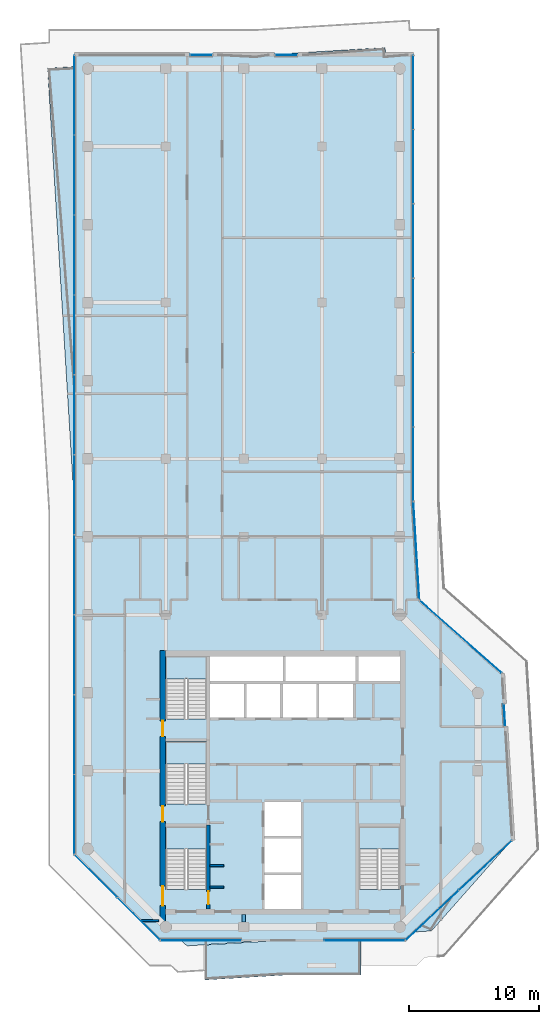
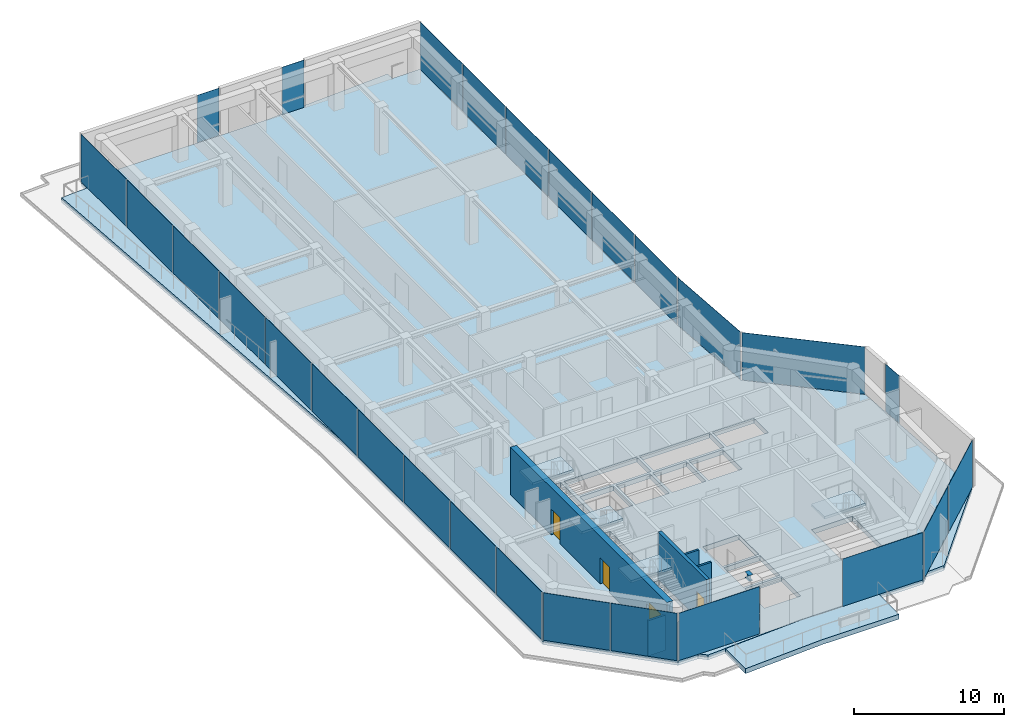
# One storey, part 16 of 21: 27 plates, 6 slabs, 5 walls, 4 doors, 1 beam, 4 openings, 15 elements without a shape of their own.
"""IFC4 building model written with IfcOpenShell, lengths in metres."""

from ifc_helpers import new_model, si_unit, direction, frame, frame_2d, origin, origin_2d, place, context, subcontext, project, spatial, polyline, rectangle, i_section, outline, extrude, material, layer, layer_set, material_profile, profile_set, type_object, element, fill, aggregate, save


model = new_model("IFC4")

# Units and contexts
model_context = context("Model", 3, precision=1e-05, world=origin(), true_north=direction((0.0, 1.0)))
body_context = subcontext(model_context, "Body", "Model", "MODEL_VIEW")
ifc_project = project(units=[si_unit("LENGTHUNIT", "METRE"), si_unit("AREAUNIT", "SQUARE_METRE"), si_unit("VOLUMEUNIT", "CUBIC_METRE"), si_unit("PLANEANGLEUNIT", "RADIAN"), si_unit("MASSUNIT", "GRAM", prefix="KILO")], contexts=[model_context])

# Site, building, storey
site_placement = place(None, origin())
site = spatial("IfcSite", under=ifc_project, at=site_placement, CompositionType="ELEMENT")
building_placement = place(site_placement, origin())
building = spatial("IfcBuilding", under=site, at=building_placement, Name="Welwitschia Terrace Campus", CompositionType="ELEMENT")
storey_placement = place(building_placement, frame((0.0, 0.0, 213.800048828125)))
storey = spatial("IfcBuildingStorey", under=building, at=storey_placement, Name="L47", CompositionType="ELEMENT", Elevation=213.800048828125)

# Beam
ifc_material_1 = material(Name="Steel S355", Category="steel")
ifc_material_profile = material_profile(ifc_material_1, i_section(OverallWidth=0.300048828125, OverallDepth=0.489990234375, WebThickness=0.011962890625, FlangeThickness=0.02294921875, FilletRadius=0.027099609375, at=origin_2d()))
ifc_profile_set = profile_set([ifc_material_profile], Name="Steel S355")
beam_type = type_object("IfcBeamType", Name="Primary beam HE 500 A", PredefinedType="BEAM", material=ifc_profile_set)
beam_placement = place(storey_placement, frame((12.0, 4.400390625, 3.60498046875), z_axis=(0.0, 1.0, 0.0), x_axis=(-1.0, 0.0, 0.0)))
element("IfcBeam", 1, at=beam_placement, inside=storey, type_object=beam_type, Name="Primary beam PB5", PredefinedType="BEAM", context=body_context, shape_type="SweptSolid", body=[
    extrude(i_section(OverallWidth=0.300048828125, OverallDepth=0.489990234375, WebThickness=0.011962890625, FlangeThickness=0.02294921875, FilletRadius=0.027099609375, at=origin_2d()), origin(), (0.0, 0.0, 1.0), 0.549560546875),
])

# Curtain wall, plates
ifc_material_2 = material(Name="Bronze anodised aluminium", Category="aluminium")
ifc_layer_1 = layer(ifc_material_2, 0.1201171875)
ifc_layer_set_1 = layer_set([ifc_layer_1], Name="Bronze anodised aluminium")
curtain_wall_type = type_object("IfcCurtainWallType", Name="Curtain wall CW2 tower 6000", PredefinedType="NOTDEFINED", material=ifc_layer_set_1)
curtain_wall_1_placement = place(storey_placement, origin())
curtain_wall_1 = element("IfcCurtainWall", 2, at=curtain_wall_1_placement, inside=storey, type_object=curtain_wall_type, Name="CW L47.0.0", PredefinedType="NOTDEFINED")
ifc_material_3 = material(Name="Tinted bronze-grey glass", Category="glass")
ifc_layer_2 = layer(ifc_material_3, 0.028076171875)
ifc_layer_set_2 = layer_set([ifc_layer_2], Name="Tinted bronze-grey glass")
plate_type = type_object("IfcPlateType", Name="Glass panel 28 tinted", PredefinedType="CURTAIN_PANEL", material=ifc_layer_set_2)
plate_1_placement = place(storey_placement, frame((0.63134765625, 7.911865234375, 0.0), z_axis=(0.0, 0.0, 1.0), x_axis=(0.707106781187, -0.707106781187, 0.0)))
plate_1 = element("IfcPlate", 3, at=plate_1_placement, type_object=plate_type, Name="Panel L47.0.0.0", PredefinedType="CURTAIN_PANEL", context=body_context, shape_type="SweptSolid", body=[
    extrude(rectangle(XDim=4.579345703125, YDim=0.028076171875, at=origin_2d()), origin(), (0.0, 0.0, 1.0), 3.85009765625),
])
plate_2_placement = place(storey_placement, frame((3.911865234375, 4.63134765625, 0.0), z_axis=(0.0, 0.0, 1.0), x_axis=(0.707106781187, -0.707106781187, 0.0)))
plate_2 = element("IfcPlate", 4, at=plate_2_placement, type_object=plate_type, Name="Panel L47.0.0.1", PredefinedType="CURTAIN_PANEL", context=body_context, shape_type="SweptSolid", body=[
    extrude(rectangle(XDim=4.579345703125, YDim=0.028076171875, at=origin_2d()), origin(), (0.0, 0.0, 1.0), 3.85009765625),
])
aggregate(curtain_wall_1, [plate_1, plate_2])

# Curtain wall, plate
curtain_wall_2_placement = place(storey_placement, origin())
curtain_wall_2 = element("IfcCurtainWall", 5, at=curtain_wall_2_placement, inside=storey, type_object=curtain_wall_type, Name="CW L47.1.0", PredefinedType="NOTDEFINED")
plate_3_placement = place(storey_placement, frame((8.715576171875, 2.969970703125, 0.0), z_axis=(0.0, 0.0, 1.0), x_axis=(1.0, 0.0, 0.0)))
plate_3 = element("IfcPlate", 6, at=plate_3_placement, type_object=plate_type, Name="Panel L47.1.0.0", PredefinedType="CURTAIN_PANEL", context=body_context, shape_type="SweptSolid", body=[
    extrude(rectangle(XDim=6.164306640625, YDim=0.028076171875, at=origin_2d()), origin(), (0.0, 0.0, 1.0), 3.85009765625),
])
aggregate(curtain_wall_2, [plate_3])

curtain_wall_3_placement = place(storey_placement, origin())
curtain_wall_3 = element("IfcCurtainWall", 7, at=curtain_wall_3_placement, inside=storey, type_object=curtain_wall_type, Name="CW L47.1.2", PredefinedType="NOTDEFINED")
plate_4_placement = place(storey_placement, frame((21.284423828125, 2.969970703125, 0.0), z_axis=(0.0, 0.0, 1.0), x_axis=(1.0, 0.0, 0.0)))
plate_4 = element("IfcPlate", 8, at=plate_4_placement, type_object=plate_type, Name="Panel L47.1.2.0", PredefinedType="CURTAIN_PANEL", context=body_context, shape_type="SweptSolid", body=[
    extrude(rectangle(XDim=6.164306640625, YDim=0.028076171875, at=origin_2d()), origin(), (0.0, 0.0, 1.0), 3.85009765625),
])
aggregate(curtain_wall_3, [plate_4])

# Curtain wall, plates
curtain_wall_4_placement = place(storey_placement, origin())
curtain_wall_4 = element("IfcCurtainWall", 9, at=curtain_wall_4_placement, inside=storey, type_object=curtain_wall_type, Name="CW L47.2.0", PredefinedType="NOTDEFINED")
plate_5_placement = place(storey_placement, frame((26.48974609375, 4.90380859375, 0.0), z_axis=(0.0, 0.0, 1.0), x_axis=(0.729574100684, 0.68390177044, 0.0)))
plate_5 = element("IfcPlate", 10, at=plate_5_placement, type_object=plate_type, Name="Panel L47.2.0.0", PredefinedType="CURTAIN_PANEL", context=body_context, shape_type="SweptSolid", body=[
    extrude(rectangle(XDim=5.53564453125, YDim=0.028076171875, at=origin_2d()), origin(), (0.0, 0.0, 1.0), 3.85009765625),
])
plate_6_placement = place(storey_placement, frame((30.572021484375, 8.730712890625, 0.0), z_axis=(0.0, 0.0, 1.0), x_axis=(0.729574100684, 0.68390177044, 0.0)))
plate_6 = element("IfcPlate", 11, at=plate_6_placement, type_object=plate_type, Name="Panel L47.2.0.1", PredefinedType="CURTAIN_PANEL", context=body_context, shape_type="SweptSolid", body=[
    extrude(rectangle(XDim=5.53564453125, YDim=0.028076171875, at=origin_2d()), origin(), (0.0, 0.0, 1.0), 3.85009765625),
])
aggregate(curtain_wall_4, [plate_5, plate_6])

# Curtain wall, plate
curtain_wall_5_placement = place(storey_placement, origin())
curtain_wall_5 = element("IfcCurtainWall", 12, at=curtain_wall_5_placement, inside=storey, type_object=curtain_wall_type, Name="CW L47.3.S0", PredefinedType="NOTDEFINED")
plate_7_placement = place(storey_placement, frame((32.046630859375, 20.28662109375, 0.0), z_axis=(0.0, 0.0, 1.0), x_axis=(-0.061048539535, 0.998134798422, 0.0)))
plate_7 = element("IfcPlate", 13, at=plate_7_placement, type_object=plate_type, Name="Panel L47.3.S0.0", PredefinedType="CURTAIN_PANEL", context=body_context, shape_type="SweptSolid", body=[
    extrude(rectangle(XDim=1.679931640625, YDim=0.028076171875, at=origin_2d()), origin(), (0.0, 0.0, 1.0), 3.85009765625),
])
aggregate(curtain_wall_5, [plate_7])

curtain_wall_6_placement = place(storey_placement, origin())
curtain_wall_6 = element("IfcCurtainWall", 14, at=curtain_wall_6_placement, inside=storey, type_object=curtain_wall_type, Name="CW L47.4.0", PredefinedType="NOTDEFINED")
plate_8_placement = place(storey_placement, frame((28.6728515625, 26.30517578125, 0.0), z_axis=(0.0, 0.0, 1.0), x_axis=(-0.748955720789, 0.662620048216, 0.0)))
plate_8 = element("IfcPlate", 15, at=plate_8_placement, type_object=plate_type, Name="Panel L47.4.0.0", PredefinedType="CURTAIN_PANEL", context=body_context, shape_type="SweptSolid", body=[
    extrude(rectangle(XDim=8.365234375, YDim=0.028076171875, at=origin_2d()), origin(), (0.0, 0.0, 1.0), 3.85009765625),
])
aggregate(curtain_wall_6, [plate_8])

curtain_wall_7_placement = place(storey_placement, origin())
curtain_wall_7 = element("IfcCurtainWall", 16, at=curtain_wall_7_placement, inside=storey, type_object=curtain_wall_type, Name="CW L47.5.0", PredefinedType="NOTDEFINED")
plate_9_placement = place(storey_placement, frame((25.2626953125, 32.921142578125, 0.0), z_axis=(0.0, 0.0, 1.0), x_axis=(-0.061048539535, 0.998134798422, 0.0)))
plate_9 = element("IfcPlate", 17, at=plate_9_placement, type_object=plate_type, Name="Panel L47.5.0.0", PredefinedType="CURTAIN_PANEL", context=body_context, shape_type="SweptSolid", body=[
    extrude(rectangle(XDim=7.503662109375, YDim=0.028076171875, at=origin_2d()), origin(), (0.0, 0.0, 1.0), 3.85009765625),
])
aggregate(curtain_wall_7, [plate_9])

# Curtain wall, plates
curtain_wall_8_placement = place(storey_placement, origin())
curtain_wall_8 = element("IfcCurtainWall", 18, at=curtain_wall_8_placement, inside=storey, type_object=curtain_wall_type, Name="CW L47.6.0", PredefinedType="NOTDEFINED")
plate_10_placement = place(storey_placement, frame((25.030029296875, 39.599609375, 0.0), z_axis=(0.0, 0.0, 1.0), x_axis=(0.0, 1.0, 0.0)))
plate_10 = element("IfcPlate", 19, at=plate_10_placement, type_object=plate_type, Name="Panel L47.6.0.0", PredefinedType="CURTAIN_PANEL", context=body_context, shape_type="SweptSolid", body=[
    extrude(rectangle(XDim=5.62744140625, YDim=0.028076171875, at=origin_2d()), origin(), (0.0, 0.0, 1.0), 3.85009765625),
])
plate_11_placement = place(storey_placement, frame((25.030029296875, 45.302001953125, 0.0), z_axis=(0.0, 0.0, 1.0), x_axis=(0.0, 1.0, 0.0)))
plate_11 = element("IfcPlate", 20, at=plate_11_placement, type_object=plate_type, Name="Panel L47.6.0.1", PredefinedType="CURTAIN_PANEL", context=body_context, shape_type="SweptSolid", body=[
    extrude(rectangle(XDim=5.6572265625, YDim=0.028076171875, at=origin_2d()), origin(), (0.0, 0.0, 1.0), 3.85009765625),
])
plate_12_placement = place(storey_placement, frame((25.030029296875, 51.019287109375, 0.0), z_axis=(0.0, 0.0, 1.0), x_axis=(0.0, 1.0, 0.0)))
plate_12 = element("IfcPlate", 21, at=plate_12_placement, type_object=plate_type, Name="Panel L47.6.0.2", PredefinedType="CURTAIN_PANEL", context=body_context, shape_type="SweptSolid", body=[
    extrude(rectangle(XDim=5.6572265625, YDim=0.028076171875, at=origin_2d()), origin(), (0.0, 0.0, 1.0), 3.85009765625),
])
plate_13_placement = place(storey_placement, frame((25.030029296875, 56.736572265625, 0.0), z_axis=(0.0, 0.0, 1.0), x_axis=(0.0, 1.0, 0.0)))
plate_13 = element("IfcPlate", 22, at=plate_13_placement, type_object=plate_type, Name="Panel L47.6.0.3", PredefinedType="CURTAIN_PANEL", context=body_context, shape_type="SweptSolid", body=[
    extrude(rectangle(XDim=5.6572265625, YDim=0.028076171875, at=origin_2d()), origin(), (0.0, 0.0, 1.0), 3.85009765625),
])
plate_14_placement = place(storey_placement, frame((25.030029296875, 62.4541015625, 0.0), z_axis=(0.0, 0.0, 1.0), x_axis=(0.0, 1.0, 0.0)))
plate_14 = element("IfcPlate", 23, at=plate_14_placement, type_object=plate_type, Name="Panel L47.6.0.4", PredefinedType="CURTAIN_PANEL", context=body_context, shape_type="SweptSolid", body=[
    extrude(rectangle(XDim=5.6572265625, YDim=0.028076171875, at=origin_2d()), origin(), (0.0, 0.0, 1.0), 3.85009765625),
])
plate_15_placement = place(storey_placement, frame((25.030029296875, 68.15625, 0.0), z_axis=(0.0, 0.0, 1.0), x_axis=(0.0, 1.0, 0.0)))
plate_15 = element("IfcPlate", 24, at=plate_15_placement, type_object=plate_type, Name="Panel L47.6.0.5", PredefinedType="CURTAIN_PANEL", context=body_context, shape_type="SweptSolid", body=[
    extrude(rectangle(XDim=5.62744140625, YDim=0.028076171875, at=origin_2d()), origin(), (0.0, 0.0, 1.0), 3.85009765625),
])
aggregate(curtain_wall_8, [plate_10, plate_11, plate_12, plate_13, plate_14, plate_15])

# Curtain wall, plate
curtain_wall_9_placement = place(storey_placement, origin())
curtain_wall_9 = element("IfcCurtainWall", 25, at=curtain_wall_9_placement, inside=storey, type_object=curtain_wall_type, Name="CW L47.7.S0", PredefinedType="NOTDEFINED")
plate_16_placement = place(storey_placement, frame((15.257568359375, 71.030029296875, 0.0), z_axis=(0.0, 0.0, 1.0), x_axis=(-1.0, 0.0, 0.0)))
plate_16 = element("IfcPlate", 26, at=plate_16_placement, type_object=plate_type, Name="Panel L47.7.S0.0", PredefinedType="CURTAIN_PANEL", context=body_context, shape_type="SweptSolid", body=[
    extrude(rectangle(XDim=1.679931640625, YDim=0.028076171875, at=origin_2d()), origin(), (0.0, 0.0, 1.0), 3.85009765625),
])
aggregate(curtain_wall_9, [plate_16])

curtain_wall_10_placement = place(storey_placement, origin())
curtain_wall_10 = element("IfcCurtainWall", 27, at=curtain_wall_10_placement, inside=storey, type_object=curtain_wall_type, Name="CW L47.7.S1", PredefinedType="NOTDEFINED")
plate_17_placement = place(storey_placement, frame((8.742431640625, 71.030029296875, 0.0), z_axis=(0.0, 0.0, 1.0), x_axis=(-1.0, 0.0, 0.0)))
plate_17 = element("IfcPlate", 28, at=plate_17_placement, type_object=plate_type, Name="Panel L47.7.S1.0", PredefinedType="CURTAIN_PANEL", context=body_context, shape_type="SweptSolid", body=[
    extrude(rectangle(XDim=1.679931640625, YDim=0.028076171875, at=origin_2d()), origin(), (0.0, 0.0, 1.0), 3.85009765625),
])
aggregate(curtain_wall_10, [plate_17])

# Curtain wall, plates
curtain_wall_11_placement = place(storey_placement, origin())
curtain_wall_11 = element("IfcCurtainWall", 29, at=curtain_wall_11_placement, inside=storey, type_object=curtain_wall_type, Name="CW L47.8.0", PredefinedType="NOTDEFINED")
plate_18_placement = place(storey_placement, frame((-1.030029296875, 67.942138671875, 0.0), z_axis=(0.0, 0.0, 1.0), x_axis=(0.0, -1.0, 0.0)))
plate_18 = element("IfcPlate", 30, at=plate_18_placement, type_object=plate_type, Name="Panel L47.8.0.0", PredefinedType="CURTAIN_PANEL", context=body_context, shape_type="SweptSolid", body=[
    extrude(rectangle(XDim=6.0556640625, YDim=0.028076171875, at=origin_2d()), origin(), (0.0, 0.0, 1.0), 3.85009765625),
])
plate_19_placement = place(storey_placement, frame((-1.030029296875, 61.8115234375, 0.0), z_axis=(0.0, 0.0, 1.0), x_axis=(0.0, -1.0, 0.0)))
plate_19 = element("IfcPlate", 31, at=plate_19_placement, type_object=plate_type, Name="Panel L47.8.0.1", PredefinedType="CURTAIN_PANEL", context=body_context, shape_type="SweptSolid", body=[
    extrude(rectangle(XDim=6.085693359375, YDim=0.028076171875, at=origin_2d()), origin(), (0.0, 0.0, 1.0), 3.85009765625),
])
plate_20_placement = place(storey_placement, frame((-1.030029296875, 55.665771484375, 0.0), z_axis=(0.0, 0.0, 1.0), x_axis=(0.0, -1.0, 0.0)))
plate_20 = element("IfcPlate", 32, at=plate_20_placement, type_object=plate_type, Name="Panel L47.8.0.2", PredefinedType="CURTAIN_PANEL", context=body_context, shape_type="SweptSolid", body=[
    extrude(rectangle(XDim=6.085693359375, YDim=0.028076171875, at=origin_2d()), origin(), (0.0, 0.0, 1.0), 3.85009765625),
])
plate_21_placement = place(storey_placement, frame((-1.030029296875, 49.520263671875, 0.0), z_axis=(0.0, 0.0, 1.0), x_axis=(0.0, -1.0, 0.0)))
plate_21 = element("IfcPlate", 33, at=plate_21_placement, type_object=plate_type, Name="Panel L47.8.0.3", PredefinedType="CURTAIN_PANEL", context=body_context, shape_type="SweptSolid", body=[
    extrude(rectangle(XDim=6.085693359375, YDim=0.028076171875, at=origin_2d()), origin(), (0.0, 0.0, 1.0), 3.85009765625),
])
plate_22_placement = place(storey_placement, frame((-1.030029296875, 43.37451171875, 0.0), z_axis=(0.0, 0.0, 1.0), x_axis=(0.0, -1.0, 0.0)))
plate_22 = element("IfcPlate", 34, at=plate_22_placement, type_object=plate_type, Name="Panel L47.8.0.4", PredefinedType="CURTAIN_PANEL", context=body_context, shape_type="SweptSolid", body=[
    extrude(rectangle(XDim=6.085693359375, YDim=0.028076171875, at=origin_2d()), origin(), (0.0, 0.0, 1.0), 3.85009765625),
])
plate_23_placement = place(storey_placement, frame((-1.030029296875, 37.228759765625, 0.0), z_axis=(0.0, 0.0, 1.0), x_axis=(0.0, -1.0, 0.0)))
plate_23 = element("IfcPlate", 35, at=plate_23_placement, type_object=plate_type, Name="Panel L47.8.0.5", PredefinedType="CURTAIN_PANEL", context=body_context, shape_type="SweptSolid", body=[
    extrude(rectangle(XDim=6.085693359375, YDim=0.028076171875, at=origin_2d()), origin(), (0.0, 0.0, 1.0), 3.85009765625),
])
plate_24_placement = place(storey_placement, frame((-1.030029296875, 31.083251953125, 0.0), z_axis=(0.0, 0.0, 1.0), x_axis=(0.0, -1.0, 0.0)))
plate_24 = element("IfcPlate", 36, at=plate_24_placement, type_object=plate_type, Name="Panel L47.8.0.6", PredefinedType="CURTAIN_PANEL", context=body_context, shape_type="SweptSolid", body=[
    extrude(rectangle(XDim=6.085693359375, YDim=0.028076171875, at=origin_2d()), origin(), (0.0, 0.0, 1.0), 3.85009765625),
])
plate_25_placement = place(storey_placement, frame((-1.030029296875, 24.9375, 0.0), z_axis=(0.0, 0.0, 1.0), x_axis=(0.0, -1.0, 0.0)))
plate_25 = element("IfcPlate", 37, at=plate_25_placement, type_object=plate_type, Name="Panel L47.8.0.7", PredefinedType="CURTAIN_PANEL", context=body_context, shape_type="SweptSolid", body=[
    extrude(rectangle(XDim=6.085693359375, YDim=0.028076171875, at=origin_2d()), origin(), (0.0, 0.0, 1.0), 3.85009765625),
])
plate_26_placement = place(storey_placement, frame((-1.030029296875, 18.791748046875, 0.0), z_axis=(0.0, 0.0, 1.0), x_axis=(0.0, -1.0, 0.0)))
plate_26 = element("IfcPlate", 38, at=plate_26_placement, type_object=plate_type, Name="Panel L47.8.0.8", PredefinedType="CURTAIN_PANEL", context=body_context, shape_type="SweptSolid", body=[
    extrude(rectangle(XDim=6.085693359375, YDim=0.028076171875, at=origin_2d()), origin(), (0.0, 0.0, 1.0), 3.85009765625),
])
plate_27_placement = place(storey_placement, frame((-1.030029296875, 12.6611328125, 0.0), z_axis=(0.0, 0.0, 1.0), x_axis=(0.0, -1.0, 0.0)))
plate_27 = element("IfcPlate", 39, at=plate_27_placement, type_object=plate_type, Name="Panel L47.8.0.9", PredefinedType="CURTAIN_PANEL", context=body_context, shape_type="SweptSolid", body=[
    extrude(rectangle(XDim=6.0556640625, YDim=0.028076171875, at=origin_2d()), origin(), (0.0, 0.0, 1.0), 3.85009765625),
])
aggregate(curtain_wall_11, [plate_18, plate_19, plate_20, plate_21, plate_22, plate_23, plate_24, plate_25, plate_26, plate_27])

# Stair, slab
ifc_material_4 = material(Name="Concrete C40/50", Category="concrete")
stair_type = type_object("IfcStairType", Name="Stair 24R 175 W1500", PredefinedType="HALF_TURN_STAIR", material=ifc_material_4)
stair_1_placement = place(storey_placement, origin())
stair_1 = element("IfcStair", 40, at=stair_1_placement, inside=storey, type_object=stair_type, Name="L47 Exit stair S1", PredefinedType="HALF_TURN_STAIR")
ifc_material_5 = material(Name="Concrete C40/50", Category="concrete")
ifc_layer_3 = layer(ifc_material_5, 0.199951171875)
ifc_layer_set_3 = layer_set([ifc_layer_3], Name="Concrete C40/50")
slab_type_1 = type_object("IfcSlabType", Name="Stair landing RC", PredefinedType="LANDING", material=ifc_layer_set_3)
slab_1_placement = place(storey_placement, frame((0.0, 0.0, 1.89990234375)))
slab_1 = element("IfcSlab", 41, at=slab_1_placement, type_object=slab_type_1, Name="S1 landing 1", PredefinedType="LANDING", context=body_context, shape_type="SweptSolid", body=[
    extrude(outline(polyline([(9.14990234375, 9.97998046875), (9.14990234375, 11.699951171875), (6.0, 11.699951171875), (6.0, 9.97998046875), (9.14990234375, 9.97998046875)])), origin(), (0.0, 0.0, 1.0), 0.199951171875),
])
aggregate(stair_1, [slab_1])

stair_2_placement = place(storey_placement, origin())
stair_2 = element("IfcStair", 42, at=stair_2_placement, inside=storey, type_object=stair_type, Name="L47 Exit stair S3", PredefinedType="HALF_TURN_STAIR")
slab_2_placement = place(storey_placement, frame((0.0, 0.0, 1.89990234375)))
slab_2 = element("IfcSlab", 43, at=slab_2_placement, type_object=slab_type_1, Name="S3 landing 1", PredefinedType="LANDING", context=body_context, shape_type="SweptSolid", body=[
    extrude(outline(polyline([(9.14990234375, 16.530029296875), (9.14990234375, 18.25), (6.0, 18.25), (6.0, 16.530029296875), (9.14990234375, 16.530029296875)])), origin(), (0.0, 0.0, 1.0), 0.199951171875),
])
aggregate(stair_2, [slab_2])

stair_3_placement = place(storey_placement, origin())
stair_3 = element("IfcStair", 44, at=stair_3_placement, inside=storey, type_object=stair_type, Name="L47 Exit stair S4", PredefinedType="HALF_TURN_STAIR")
slab_3_placement = place(storey_placement, frame((0.0, 0.0, 1.89990234375)))
slab_3 = element("IfcSlab", 45, at=slab_3_placement, type_object=slab_type_1, Name="S4 landing 1", PredefinedType="LANDING", context=body_context, shape_type="SweptSolid", body=[
    extrude(outline(polyline([(9.14990234375, 23.080078125), (9.14990234375, 24.800048828125), (6.0, 24.800048828125), (6.0, 23.080078125), (9.14990234375, 23.080078125)])), origin(), (0.0, 0.0, 1.0), 0.199951171875),
])
aggregate(stair_3, [slab_3])

stair_4_placement = place(storey_placement, origin())
stair_4 = element("IfcStair", 46, at=stair_4_placement, inside=storey, type_object=stair_type, Name="L47 Exit stair S2", PredefinedType="HALF_TURN_STAIR")
slab_4_placement = place(storey_placement, frame((0.0, 0.0, 1.89990234375)))
slab_4 = element("IfcSlab", 47, at=slab_4_placement, type_object=slab_type_1, Name="S2 landing 1", PredefinedType="LANDING", context=body_context, shape_type="SweptSolid", body=[
    extrude(outline(polyline([(24.0, 9.97998046875), (24.0, 11.699951171875), (20.85009765625, 11.699951171875), (20.85009765625, 9.97998046875), (24.0, 9.97998046875)])), origin(), (0.0, 0.0, 1.0), 0.199951171875),
])
aggregate(stair_4, [slab_4])

# Slabs
ifc_material_6 = material(Name="Concrete C40/50", Category="concrete")
ifc_layer_4 = layer(ifc_material_6, 0.39990234375)
ifc_layer_set_4 = layer_set([ifc_layer_4], Name="Concrete C40/50")
slab_type_2 = type_object("IfcSlabType", Name="Suspended floor slab 400", PredefinedType="FLOOR", material=ifc_layer_set_4)
slab_5_placement = place(storey_placement, frame((0.0, 0.0, -0.400146484375)))
element("IfcSlab", 48, at=slab_5_placement, inside=storey, type_object=slab_type_2, Name="Floor slab L47", PredefinedType="FLOOR", context=body_context, shape_type="SweptSolid", body=[
    extrude(outline(polyline([(-1.0, 70.14892578125), (-1.0, 71.0), (12.91552734375, 71.0), (22.866455078125, 71.608642578125), (22.903564453125, 71.0), (25.0, 71.0), (25.0, 36.72509765625), (25.46630859375, 29.102294921875), (31.8212890625, 23.479736328125), (32.6044921875, 10.67529296875), (26.43310546875, 3.69970703125), (25.028076171875, 3.61376953125), (24.414306640625, 3.0), (21.001953125, 3.0), (21.001953125, 3.014892578125), (14.9931640625, 3.014892578125), (14.9921875, 3.014892578125), (8.9970703125, 2.648193359375), (8.998046875, 2.63330078125), (7.6396484375, 2.55029296875), (7.13134765625, 3.0), (5.585693359375, 3.0), (-1.0, 9.585693359375), (-1.0, 35.9306640625), (-3.0849609375, 70.021240234375), (-1.0, 70.14892578125)]), holes=[polyline([(13.60009765625, 5.39990234375), (16.39990234375, 5.39990234375), (16.39990234375, 8.0), (13.60009765625, 8.0), (13.60009765625, 5.39990234375)]), polyline([(6.0, 11.699951171875), (6.0, 6.902099609375), (9.14990234375, 6.902099609375), (9.14990234375, 11.699951171875), (6.0, 11.699951171875)]), polyline([(6.0, 18.25), (6.0, 13.451904296875), (9.14990234375, 13.451904296875), (9.14990234375, 18.25), (6.0, 18.25)]), polyline([(9.39990234375, 22.699951171875), (9.39990234375, 20.10009765625), (12.0, 20.10009765625), (12.0, 22.699951171875), (9.39990234375, 22.699951171875)]), polyline([(12.199951171875, 22.699951171875), (12.199951171875, 20.10009765625), (14.800048828125, 20.10009765625), (14.800048828125, 22.699951171875), (12.199951171875, 22.699951171875)]), polyline([(6.0, 24.800048828125), (6.0, 20.001953125), (9.14990234375, 20.001953125), (9.14990234375, 24.800048828125), (6.0, 24.800048828125)]), polyline([(9.39990234375, 24.800048828125), (9.39990234375, 22.89990234375), (15.0, 22.89990234375), (15.0, 24.800048828125), (9.39990234375, 24.800048828125)]), polyline([(20.85009765625, 6.902099609375), (24.0, 6.902099609375), (24.0, 11.699951171875), (20.85009765625, 11.699951171875), (20.85009765625, 6.902099609375)]), polyline([(13.60009765625, 10.800048828125), (13.60009765625, 8.199951171875), (16.39990234375, 8.199951171875), (16.39990234375, 10.800048828125), (13.60009765625, 10.800048828125)]), polyline([(13.60009765625, 13.60009765625), (13.60009765625, 11.0), (16.39990234375, 11.0), (16.39990234375, 13.60009765625), (13.60009765625, 13.60009765625)]), polyline([(15.0, 22.699951171875), (15.0, 20.10009765625), (17.60009765625, 20.10009765625), (17.60009765625, 22.699951171875), (15.0, 22.699951171875)]), polyline([(17.800048828125, 22.699951171875), (17.800048828125, 20.10009765625), (20.39990234375, 20.10009765625), (20.39990234375, 22.699951171875), (17.800048828125, 22.699951171875)]), polyline([(15.199951171875, 24.800048828125), (15.199951171875, 22.89990234375), (20.60009765625, 22.89990234375), (20.60009765625, 24.800048828125), (15.199951171875, 24.800048828125)]), polyline([(20.800048828125, 24.800048828125), (20.800048828125, 22.89990234375), (24.0, 22.89990234375), (24.0, 24.800048828125), (20.800048828125, 24.800048828125)])]), origin(), (0.0, 0.0, 1.0), 0.400146484375),
])
ifc_material_7 = material(Name="Concrete C40/50", Category="concrete")
ifc_layer_5 = layer(ifc_material_7, 0.39990234375)
ifc_layer_set_5 = layer_set([ifc_layer_5], Name="Concrete C40/50")
slab_type_3 = type_object("IfcSlabType", Name="Terrace slab 400", PredefinedType="FLOOR", material=ifc_layer_set_5)
slab_6_placement = place(storey_placement, frame((0.0, 0.0, -0.400146484375)))
element("IfcSlab", 49, at=slab_6_placement, inside=storey, type_object=slab_type_3, Name="Terrace slab", PredefinedType="FLOOR", context=body_context, shape_type="SweptSolid", body=[
    extrude(outline(polyline([(21.0, 0.300048828125), (15.07568359375, 0.300048828125), (9.0, -0.071533203125), (9.0, 2.618408203125), (14.99365234375, 2.985107421875), (21.0, 2.985107421875), (21.0, 0.300048828125)])), origin(), (0.0, 0.0, 1.0), 0.400146484375),
])

# Walls
ifc_material_8 = material(Name="Concrete C50/60", Category="concrete")
ifc_layer_6 = layer(ifc_material_8, 0.14990234375)
ifc_layer_set_6 = layer_set([ifc_layer_6], Name="Concrete C50/60")
wall_type_1 = type_object("IfcWallType", Name="Core wall 150 Concrete C50/60", PredefinedType="SHEAR", material=ifc_layer_set_6)
for number, where, z_axis, x_axis, name in (
    (50, (9.39990234375, 7.074951171875, 0.0), (0.0, 0.0, 1.0), (1.0, 0.0, 0.0), "Core wall"),
    (51, (9.39990234375, 8.72509765625, 0.0), (0.0, 0.0, 1.0), (1.0, 0.0, 0.0), "Core wall"),
):
    element("IfcWall", number, at=place(storey_placement, frame(where, z_axis=z_axis, x_axis=x_axis)), inside=storey, type_object=wall_type_1, Name=name, PredefinedType="SHEAR", context=body_context, shape_type="SweptSolid", body=[
        extrude(rectangle(XDim=1.050048828125, YDim=0.14990234375, at=frame_2d((0.52490234375, 0.0))), origin(), (0.0, 0.0, 1.0), 3.849853515625),
    ])

# Wall, opening, door
ifc_material_9 = material(Name="Concrete C50/60", Category="concrete")
ifc_layer_7 = layer(ifc_material_9, 0.25)
ifc_layer_set_7 = layer_set([ifc_layer_7], Name="Concrete C50/60")
wall_type_2 = type_object("IfcWallType", Name="Core wall 250 Concrete C50/60", PredefinedType="SHEAR", material=ifc_layer_set_7)
wall_1_placement = place(storey_placement, frame((9.27490234375, 11.824951171875, 0.0), z_axis=(0.0, 0.0, 1.0), x_axis=(0.0, -1.0, 0.0)))
wall_1 = element("IfcWall", 52, at=wall_1_placement, inside=storey, type_object=wall_type_2, Name="Core wall", PredefinedType="SHEAR", context=body_context, shape_type="SweptSolid", body=[
    extrude(rectangle(XDim=6.425048828125, YDim=0.25, at=frame_2d((3.21240234375, 0.0))), origin(), (0.0, 0.0, 1.0), 3.849853515625),
])
opening_1_placement = place(wall_1_placement, frame((5.074951171875, 0.0, 0.0)))
opening_1 = element("IfcOpeningElement", 53, at=opening_1_placement, cuts=wall_1, Name="Opening DS10", PredefinedType="OPENING", context=body_context, shape_type="SweptSolid", body=[
    extrude(rectangle(XDim=1.0, YDim=2.10009765625, at=frame_2d((0.5, 1.050048828125))), frame((0.0, 0.135009765625, 0.0), z_axis=(0.0, -1.0, 0.0), x_axis=(1.0, 0.0, 0.0)), (0.0, 0.0, 1.0), 0.27001953125),
])
ifc_material_10 = material(Name="Steel S275", Category="steel")
door_type_1 = type_object("IfcDoorType", Name="Core door DS10", OperationType="SINGLE_SWING_LEFT", PredefinedType="DOOR", material=ifc_material_10)
door_1_placement = place(opening_1_placement, origin())
door_1 = element("IfcDoor", 54, at=door_1_placement, inside=storey, type_object=door_type_1, Name="Door S1-FL", OperationType="SINGLE_SWING_RIGHT", OverallHeight=2.10009765625, OverallWidth=1.0, PredefinedType="DOOR", context=body_context, shape_type="SweptSolid", body=[
    extrude(rectangle(XDim=1.0, YDim=2.10009765625, at=frame_2d((0.5, 1.050048828125))), frame((0.0, 0.02490234375, 0.0), z_axis=(0.0, -1.0, 0.0), x_axis=(1.0, 0.0, 0.0)), (0.0, 0.0, 1.0), 0.050048828125),
])
fill(opening_1, door_1)

# Wall, openings, doors
ifc_material_11 = material(Name="Concrete C60/75", Category="concrete")
ifc_layer_8 = layer(ifc_material_11, 0.449951171875)
ifc_layer_set_8 = layer_set([ifc_layer_8], Name="Concrete C60/75")
wall_type_3 = type_object("IfcWallType", Name="Core wall 450 Concrete C60/75", PredefinedType="SHEAR", material=ifc_layer_set_8)
wall_2_placement = place(storey_placement, frame((5.77490234375, 4.419921875, 0.0), z_axis=(0.0, 0.0, 1.0), x_axis=(0.0, 1.0, 0.0)))
wall_2 = element("IfcWall", 55, at=wall_2_placement, inside=storey, type_object=wall_type_3, Name="Core outer wall", PredefinedType="SHEAR", context=body_context, shape_type="SweptSolid", body=[
    extrude(rectangle(XDim=20.830078125, YDim=0.449951171875, at=frame_2d((10.4150390625, 0.0))), origin(), (0.0, 0.0, 1.0), 3.849853515625),
])
opening_2_placement = place(wall_2_placement, frame((1.22998046875, 0.0, 0.0)))
opening_2 = element("IfcOpeningElement", 56, at=opening_2_placement, cuts=wall_2, Name="Opening DS15", PredefinedType="OPENING", context=body_context, shape_type="SweptSolid", body=[
    extrude(rectangle(XDim=1.5, YDim=2.10009765625, at=frame_2d((0.75, 1.050048828125))), frame((0.0, 0.23486328125, 0.0), z_axis=(0.0, -1.0, 0.0), x_axis=(1.0, 0.0, 0.0)), (0.0, 0.0, 1.0), 0.469970703125),
])
opening_3_placement = place(wall_2_placement, frame((7.679931640625, 0.0, 0.0)))
opening_3 = element("IfcOpeningElement", 57, at=opening_3_placement, cuts=wall_2, Name="Opening DS12", PredefinedType="OPENING", context=body_context, shape_type="SweptSolid", body=[
    extrude(rectangle(XDim=1.199951171875, YDim=2.10009765625, at=frame_2d((0.60009765625, 1.050048828125))), frame((0.0, 0.23486328125, 0.0), z_axis=(0.0, -1.0, 0.0), x_axis=(1.0, 0.0, 0.0)), (0.0, 0.0, 1.0), 0.469970703125),
])
opening_4_placement = place(wall_2_placement, frame((14.22998046875, 0.0, 0.0)))
opening_4 = element("IfcOpeningElement", 58, at=opening_4_placement, cuts=wall_2, Name="Opening DS12", PredefinedType="OPENING", context=body_context, shape_type="SweptSolid", body=[
    extrude(rectangle(XDim=1.199951171875, YDim=2.10009765625, at=frame_2d((0.60009765625, 1.050048828125))), frame((0.0, 0.23486328125, 0.0), z_axis=(0.0, -1.0, 0.0), x_axis=(1.0, 0.0, 0.0)), (0.0, 0.0, 1.0), 0.469970703125),
])
ifc_material_12 = material(Name="Steel S275", Category="steel")
door_type_2 = type_object("IfcDoorType", Name="Core door DS12", OperationType="SINGLE_SWING_LEFT", PredefinedType="DOOR", material=ifc_material_12)
door_2_placement = place(opening_3_placement, origin())
door_2 = element("IfcDoor", 59, at=door_2_placement, inside=storey, type_object=door_type_2, Name="Door S3-out", OperationType="SINGLE_SWING_LEFT", OverallHeight=2.10009765625, OverallWidth=1.199951171875, PredefinedType="DOOR", context=body_context, shape_type="SweptSolid", body=[
    extrude(rectangle(XDim=1.199951171875, YDim=2.10009765625, at=frame_2d((0.60009765625, 1.050048828125))), frame((0.0, 0.02490234375, 0.0), z_axis=(0.0, -1.0, 0.0), x_axis=(1.0, 0.0, 0.0)), (0.0, 0.0, 1.0), 0.050048828125),
])
fill(opening_3, door_2)
door_3_placement = place(opening_4_placement, origin())
door_3 = element("IfcDoor", 60, at=door_3_placement, inside=storey, type_object=door_type_2, Name="Door S4-out", OperationType="SINGLE_SWING_RIGHT", OverallHeight=2.10009765625, OverallWidth=1.199951171875, PredefinedType="DOOR", context=body_context, shape_type="SweptSolid", body=[
    extrude(rectangle(XDim=1.199951171875, YDim=2.10009765625, at=frame_2d((0.60009765625, 1.050048828125))), frame((0.0, 0.02490234375, 0.0), z_axis=(0.0, -1.0, 0.0), x_axis=(1.0, 0.0, 0.0)), (0.0, 0.0, 1.0), 0.050048828125),
])
fill(opening_4, door_3)
ifc_material_13 = material(Name="Steel S275", Category="steel")
door_type_3 = type_object("IfcDoorType", Name="Core door DS15", OperationType="DOUBLE_DOOR_SINGLE_SWING", PredefinedType="DOOR", material=ifc_material_13)
door_4_placement = place(opening_2_placement, origin())
door_4 = element("IfcDoor", 61, at=door_4_placement, inside=storey, type_object=door_type_3, Name="Door S1-out", OperationType="DOUBLE_DOOR_SINGLE_SWING", OverallHeight=2.10009765625, OverallWidth=1.5, PredefinedType="DOOR", context=body_context, shape_type="SweptSolid", body=[
    extrude(rectangle(XDim=1.5, YDim=2.10009765625, at=frame_2d((0.75, 1.050048828125))), frame((0.0, 0.02490234375, 0.0), z_axis=(0.0, -1.0, 0.0), x_axis=(1.0, 0.0, 0.0)), (0.0, 0.0, 1.0), 0.050048828125),
])
fill(opening_2, door_4)

# Wall
ifc_material_14 = material(Name="Gypsum board on steel studs", Category="steel")
ifc_layer_9 = layer(ifc_material_14, 0.14990234375)
ifc_layer_set_9 = layer_set([ifc_layer_9], Name="Gypsum board on steel studs")
wall_type_4 = type_object("IfcWallType", Name="Corridor partition 150 EI 30", PredefinedType="PARTITIONING", material=ifc_layer_set_9)
wall_3_placement = place(storey_placement, frame((4.110107421875, 4.5, 0.0), z_axis=(0.0, 0.0, 1.0), x_axis=(1.0, 0.0, 0.0)))
element("IfcWall", 62, at=wall_3_placement, inside=storey, type_object=wall_type_4, Name="Partition", PredefinedType="PARTITIONING", context=body_context, shape_type="SweptSolid", body=[
    extrude(rectangle(XDim=1.33984375, YDim=0.14990234375, at=frame_2d((0.669921875, 0.0))), origin(), (0.0, 0.0, 1.0), 2.8798828125),
])

save(model, "model.ifc")
